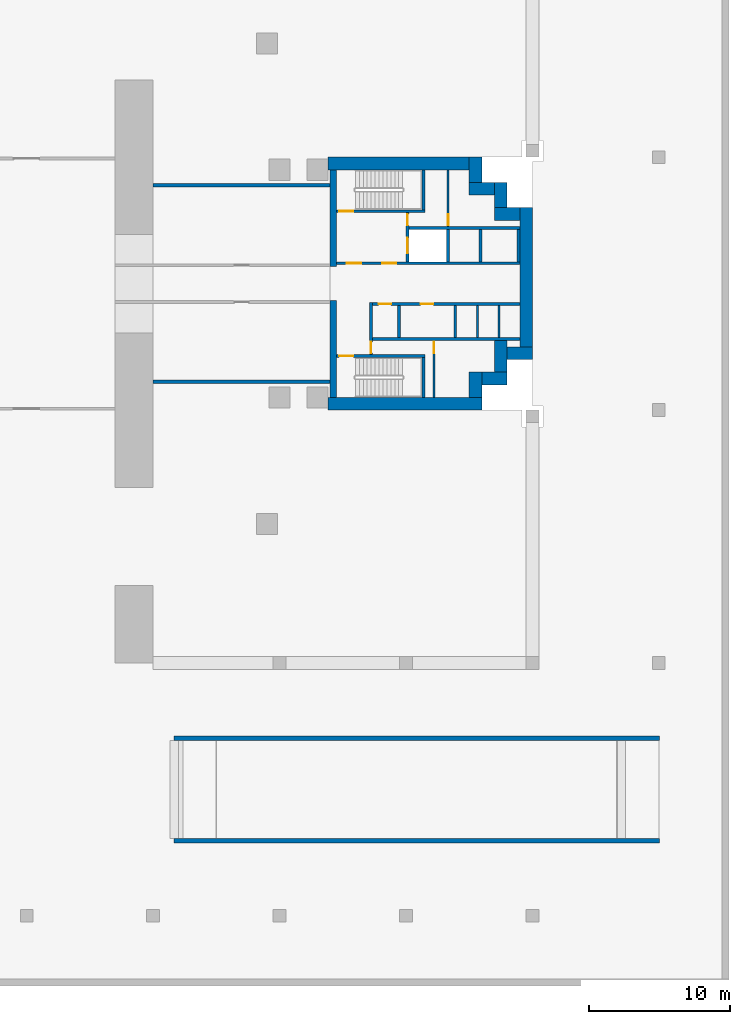
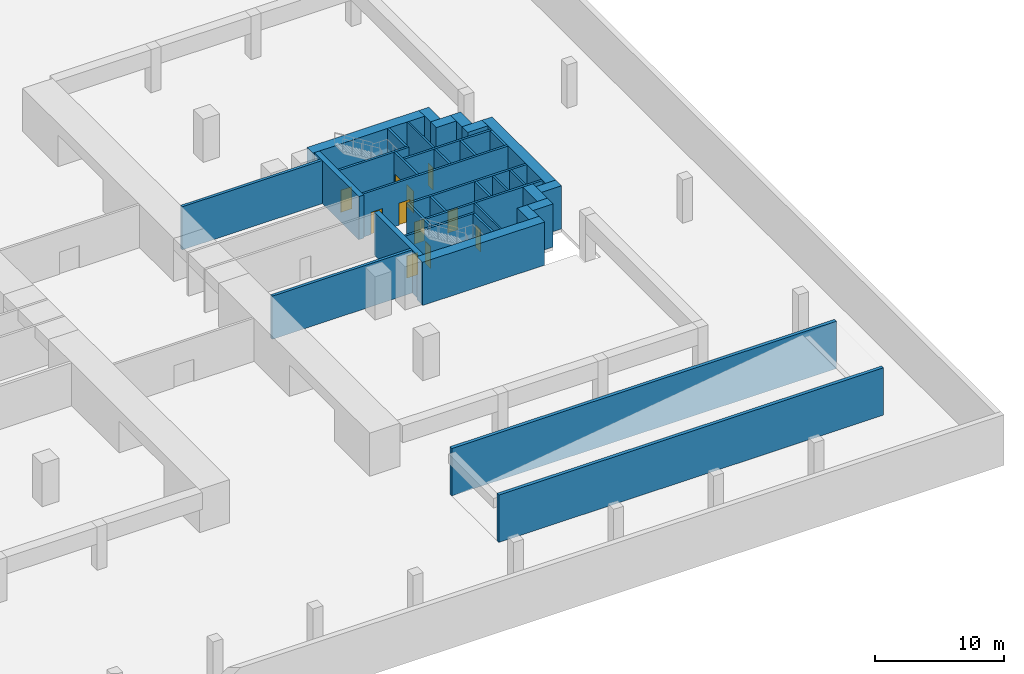
# One storey, part 6 of 9: 36 walls, 11 doors, 11 openings.
"""IFC4 building model written with IfcOpenShell, lengths in metres."""

from ifc_helpers import new_model, si_unit, direction, frame, frame_2d, origin, place, context, subcontext, project, spatial, rectangle, extrude, material, layer, layer_set, type_object, element, fill, save


model = new_model("IFC4")

# Units and contexts
model_context = context("Model", 3, precision=1e-05, world=origin(), true_north=direction((0.0, 1.0)))
body_context = subcontext(model_context, "Body", "Model", "MODEL_VIEW")
ifc_project = project(units=[si_unit("LENGTHUNIT", "METRE"), si_unit("AREAUNIT", "SQUARE_METRE"), si_unit("VOLUMEUNIT", "CUBIC_METRE"), si_unit("PLANEANGLEUNIT", "RADIAN"), si_unit("MASSUNIT", "GRAM", prefix="KILO")], contexts=[model_context])

# Site, building, storey
site_placement = place(None, origin())
site = spatial("IfcSite", under=ifc_project, at=site_placement, CompositionType="ELEMENT")
building_placement = place(site_placement, origin())
building = spatial("IfcBuilding", under=site, at=building_placement, Name="Perihelion Cross Residences", CompositionType="ELEMENT")
storey_placement = place(building_placement, frame((0.0, 0.0, -4.5)))
storey = spatial("IfcBuildingStorey", under=building, at=storey_placement, Name="B1", CompositionType="ELEMENT", Elevation=-4.5)

# Walls
ifc_material_1 = material(Name="Concrete C40/50", Category="concrete")
ifc_layer_1 = layer(ifc_material_1, 0.25)
ifc_layer_set_1 = layer_set([ifc_layer_1], Name="Basement enclosure wall 250")
wall_type_1 = type_object("IfcWallType", Name="Basement enclosure wall 250", PredefinedType="SOLIDWALL", material=ifc_layer_set_1)
for number, where, z_axis, x_axis, name in (
    (1, (9.0, 7.0, 0.0), (0.0, 0.0, 1.0), (1.0, 0.0, 0.0), "Basement enclosure wall B1 e.encl.n"),
    (2, (9.0, -7.0, 0.0), (0.0, 0.0, 1.0), (1.0, 0.0, 0.0), "Basement enclosure wall B1 e.encl.s"),
):
    element("IfcWall", number, at=place(storey_placement, frame(where, z_axis=z_axis, x_axis=x_axis)), inside=storey, type_object=wall_type_1, Name=name, PredefinedType="SOLIDWALL", context=body_context, shape_type="SweptSolid", body=[
        extrude(rectangle(XDim=12.60009765625, YDim=0.25, at=frame_2d((6.300048828125, 0.0))), origin(), (0.0, 0.0, 1.0), 4.10009765625),
    ])
ifc_material_2 = material(Name="Concrete C60/75", Category="concrete")
ifc_layer_2 = layer(ifc_material_2, 0.449951171875)
ifc_layer_set_2 = layer_set([ifc_layer_2], Name="Core wall, inner 450")
wall_type_2 = type_object("IfcWallType", Name="Core wall, inner 450", PredefinedType="SHEAR", material=ifc_layer_set_2)
for number, where, z_axis, x_axis, name in (
    (3, (21.824951171875, -8.10009765625, 0.0), (0.0, 0.0, 1.0), (0.0, 1.0, 0.0), "East core core wall, inner"),
    (4, (21.824951171875, 1.199951171875, 0.0), (0.0, 0.0, 1.0), (0.0, 1.0, 0.0), "East core core wall, inner"),
):
    element("IfcWall", number, at=place(storey_placement, frame(where, z_axis=z_axis, x_axis=x_axis)), inside=storey, type_object=wall_type_2, Name=name, PredefinedType="SHEAR", context=body_context, shape_type="SweptSolid", body=[
        extrude(rectangle(XDim=6.900146484375, YDim=0.449951171875, at=frame_2d((3.4501953125, 0.0))), origin(), (0.0, 0.0, 1.0), 4.10009765625),
    ])
ifc_material_3 = material(Name="Concrete C60/75", Category="concrete")
ifc_layer_3 = layer(ifc_material_3, 0.89990234375)
ifc_layer_set_3 = layer_set([ifc_layer_3], Name="Core wall, outer 900")
wall_type_3 = type_object("IfcWallType", Name="Core wall, outer 900", PredefinedType="SHEAR", material=ifc_layer_set_3)
wall_1_placement = place(storey_placement, frame((21.449951171875, -8.550048828125, 0.0), z_axis=(0.0, 0.0, 1.0), x_axis=(1.0, 0.0, 0.0)))
element("IfcWall", 5, at=wall_1_placement, inside=storey, type_object=wall_type_3, Name="East core core wall, outer", PredefinedType="SHEAR", context=body_context, shape_type="SweptSolid", body=[
    extrude(rectangle(XDim=10.949951171875, YDim=0.89990234375, at=frame_2d((5.47509765625, 0.0))), origin(), (0.0, 0.0, 1.0), 4.10009765625),
])
for number, where, z_axis, x_axis, name in (
    (6, (31.949951171875, -8.10009765625, 0.0), (0.0, 0.0, 1.0), (0.0, 1.0, 0.0), "East core core wall, outer"),
    (7, (32.39990234375, -6.75, 0.0), (0.0, 0.0, 1.0), (1.0, 0.0, 0.0), "East core core wall, outer"),
):
    element("IfcWall", number, at=place(storey_placement, frame(where, z_axis=z_axis, x_axis=x_axis)), inside=storey, type_object=wall_type_3, Name=name, PredefinedType="SHEAR", context=body_context, shape_type="SweptSolid", body=[
        extrude(rectangle(XDim=1.800048828125, YDim=0.89990234375, at=frame_2d((0.89990234375, 0.0))), origin(), (0.0, 0.0, 1.0), 4.10009765625),
    ])
wall_2_placement = place(storey_placement, frame((33.75, -6.300048828125, 0.0), z_axis=(0.0, 0.0, 1.0), x_axis=(0.0, 1.0, 0.0)))
element("IfcWall", 8, at=wall_2_placement, inside=storey, type_object=wall_type_3, Name="East core core wall, outer", PredefinedType="SHEAR", context=body_context, shape_type="SweptSolid", body=[
    extrude(rectangle(XDim=2.25, YDim=0.89990234375, at=frame_2d((1.125, 0.0))), origin(), (0.0, 0.0, 1.0), 4.10009765625),
])
wall_3_placement = place(storey_placement, frame((34.199951171875, -4.949951171875, 0.0), z_axis=(0.0, 0.0, 1.0), x_axis=(1.0, 0.0, 0.0)))
element("IfcWall", 9, at=wall_3_placement, inside=storey, type_object=wall_type_3, Name="East core core wall, outer", PredefinedType="SHEAR", context=body_context, shape_type="SweptSolid", body=[
    extrude(rectangle(XDim=1.800048828125, YDim=0.89990234375, at=frame_2d((0.89990234375, 0.0))), origin(), (0.0, 0.0, 1.0), 4.10009765625),
])
wall_4_placement = place(storey_placement, frame((35.550048828125, -4.5, 0.0), z_axis=(0.0, 0.0, 1.0), x_axis=(0.0, 1.0, 0.0)))
element("IfcWall", 10, at=wall_4_placement, inside=storey, type_object=wall_type_3, Name="East core core wall, outer", PredefinedType="SHEAR", context=body_context, shape_type="SweptSolid", body=[
    extrude(rectangle(XDim=9.89990234375, YDim=0.89990234375, at=frame_2d((4.949951171875, 0.0))), origin(), (0.0, 0.0, 1.0), 4.10009765625),
])
for number, where, z_axis, x_axis, name in (
    (11, (33.300048828125, 4.949951171875, 0.0), (0.0, 0.0, 1.0), (1.0, 0.0, 0.0), "East core core wall, outer"),
    (12, (33.75, 5.39990234375, 0.0), (0.0, 0.0, 1.0), (0.0, 1.0, 0.0), "East core core wall, outer"),
    (13, (31.5, 6.75, 0.0), (0.0, 0.0, 1.0), (1.0, 0.0, 0.0), "East core core wall, outer"),
    (14, (31.949951171875, 7.199951171875, 0.0), (0.0, 0.0, 1.0), (0.0, 1.0, 0.0), "East core core wall, outer"),
):
    element("IfcWall", number, at=place(storey_placement, frame(where, z_axis=z_axis, x_axis=x_axis)), inside=storey, type_object=wall_type_3, Name=name, PredefinedType="SHEAR", context=body_context, shape_type="SweptSolid", body=[
        extrude(rectangle(XDim=1.800048828125, YDim=0.89990234375, at=frame_2d((0.89990234375, 0.0))), origin(), (0.0, 0.0, 1.0), 4.10009765625),
    ])
wall_5_placement = place(storey_placement, frame((21.449951171875, 8.550048828125, 0.0), z_axis=(0.0, 0.0, 1.0), x_axis=(1.0, 0.0, 0.0)))
element("IfcWall", 15, at=wall_5_placement, inside=storey, type_object=wall_type_3, Name="East core core wall, outer", PredefinedType="SHEAR", context=body_context, shape_type="SweptSolid", body=[
    extrude(rectangle(XDim=10.050048828125, YDim=0.89990234375, at=frame_2d((5.02490234375, 0.0))), origin(), (0.0, 0.0, 1.0), 4.10009765625),
])

# Wall, opening, door
ifc_material_4 = material(Name="Concrete C50/60", Category="concrete")
ifc_layer_4 = layer(ifc_material_4, 0.199951171875)
ifc_layer_set_4 = layer_set([ifc_layer_4], Name="Lobby wall 200")
wall_type_4 = type_object("IfcWallType", Name="Lobby wall 200", PredefinedType="SOLIDWALL", material=ifc_layer_set_4)
wall_6_placement = place(storey_placement, frame((24.5, -5.050048828125, 0.0), z_axis=(0.0, 0.0, 1.0), x_axis=(0.0, 1.0, 0.0)))
wall_6 = element("IfcWall", 16, at=wall_6_placement, inside=storey, type_object=wall_type_4, Name="East core lobby wall", PredefinedType="SOLIDWALL", context=body_context, shape_type="SweptSolid", body=[
    extrude(rectangle(XDim=3.699951171875, YDim=0.199951171875, at=frame_2d((1.85009765625, 0.0))), origin(), (0.0, 0.0, 1.0), 4.10009765625),
])
opening_1_placement = place(wall_6_placement, frame((0.10009765625, 0.0, 0.0)))
opening_1 = element("IfcOpeningElement", 17, at=opening_1_placement, cuts=wall_6, Name="Opening B1.C05", PredefinedType="OPENING", context=body_context, shape_type="SweptSolid", body=[
    extrude(rectangle(XDim=0.800048828125, YDim=2.10009765625, at=frame_2d((0.39990234375, 1.050048828125))), frame((0.0, 0.10986328125, 0.0), z_axis=(0.0, -1.0, 0.0), x_axis=(1.0, 0.0, 0.0)), (0.0, 0.0, 1.0), 0.219970703125),
])
ifc_material_5 = material(Name="Steel, powder coated", Category="steel")
door_type_1 = type_object("IfcDoorType", Name="Riser door 800", OperationType="SINGLE_SWING_LEFT", PredefinedType="DOOR", material=ifc_material_5)
door_1_placement = place(opening_1_placement, origin())
door_1 = element("IfcDoor", 18, at=door_1_placement, inside=storey, type_object=door_type_1, Name="East core riser door", OperationType="SINGLE_SWING_LEFT", OverallHeight=2.10009765625, OverallWidth=0.800048828125, PredefinedType="DOOR", context=body_context, shape_type="SweptSolid", body=[
    extrude(rectangle(XDim=0.800048828125, YDim=2.10009765625, at=frame_2d((0.39990234375, 1.050048828125))), frame((0.0, 0.02490234375, 0.0), z_axis=(0.0, -1.0, 0.0), x_axis=(1.0, 0.0, 0.0)), (0.0, 0.0, 1.0), 0.050048828125),
])
fill(opening_1, door_1)

# Walls
ifc_material_6 = material(Name="Concrete C40/50", Category="concrete")
ifc_layer_5 = layer(ifc_material_6, 0.300048828125)
ifc_layer_set_5 = layer_set([ifc_layer_5], Name="Ramp side wall 300")
wall_type_5 = type_object("IfcWallType", Name="Ramp side wall 300", PredefinedType="SOLIDWALL", material=ifc_layer_set_5)
for number, where, z_axis, x_axis, name in (
    (19, (10.5, -39.64990234375, 0.0), (0.0, 0.0, 1.0), (1.0, 0.0, 0.0), "Ramp side wall B1 s"),
    (20, (10.5, -32.35009765625, 0.0), (0.0, 0.0, 1.0), (1.0, 0.0, 0.0), "Ramp side wall B1 n"),
):
    element("IfcWall", number, at=place(storey_placement, frame(where, z_axis=z_axis, x_axis=x_axis)), inside=storey, type_object=wall_type_5, Name=name, PredefinedType="SOLIDWALL", context=body_context, shape_type="SweptSolid", body=[
        extrude(rectangle(XDim=34.550048828125, YDim=0.300048828125, at=frame_2d((17.27490234375, 0.0))), origin(), (0.0, 0.0, 1.0), 4.5),
    ])

# Wall, opening, door
ifc_material_7 = material(Name="Fire-rated board on steel stud", Category="steel")
ifc_layer_6 = layer(ifc_material_7, 0.14990234375)
ifc_layer_set_6 = layer_set([ifc_layer_6], Name="Riser wall 150")
wall_type_6 = type_object("IfcWallType", Name="Riser wall 150", PredefinedType="PARTITIONING", material=ifc_layer_set_6)
wall_7_placement = place(storey_placement, frame((30.0, 4.050048828125, 0.0), z_axis=(0.0, 0.0, 1.0), x_axis=(0.0, 1.0, 0.0)))
wall_7 = element("IfcWall", 21, at=wall_7_placement, inside=storey, type_object=wall_type_6, Name="East core riser wall", PredefinedType="PARTITIONING", context=body_context, shape_type="SweptSolid", body=[
    extrude(rectangle(XDim=4.050048828125, YDim=0.14990234375, at=frame_2d((2.02490234375, 0.0))), origin(), (0.0, 0.0, 1.0), 4.10009765625),
])
opening_2_placement = place(wall_7_placement, frame((0.10009765625, 0.0, 0.0)))
opening_2 = element("IfcOpeningElement", 22, at=opening_2_placement, cuts=wall_7, Name="Opening B1.C11", PredefinedType="OPENING", context=body_context, shape_type="SweptSolid", body=[
    extrude(rectangle(XDim=0.800048828125, YDim=2.10009765625, at=frame_2d((0.39990234375, 1.050048828125))), frame((0.0, 0.0849609375, 0.0), z_axis=(0.0, -1.0, 0.0), x_axis=(1.0, 0.0, 0.0)), (0.0, 0.0, 1.0), 0.169921875),
])
door_2_placement = place(opening_2_placement, origin())
door_2 = element("IfcDoor", 23, at=door_2_placement, inside=storey, type_object=door_type_1, Name="East core riser door", OperationType="SINGLE_SWING_LEFT", OverallHeight=2.10009765625, OverallWidth=0.800048828125, PredefinedType="DOOR", context=body_context, shape_type="SweptSolid", body=[
    extrude(rectangle(XDim=0.800048828125, YDim=2.10009765625, at=frame_2d((0.39990234375, 1.050048828125))), frame((0.0, 0.02490234375, 0.0), z_axis=(0.0, -1.0, 0.0), x_axis=(1.0, 0.0, 0.0)), (0.0, 0.0, 1.0), 0.050048828125),
])
fill(opening_2, door_2)

wall_8_placement = place(storey_placement, frame((29.0, -8.10009765625, 0.0), z_axis=(0.0, 0.0, 1.0), x_axis=(0.0, 1.0, 0.0)))
wall_8 = element("IfcWall", 24, at=wall_8_placement, inside=storey, type_object=wall_type_6, Name="East core riser wall", PredefinedType="PARTITIONING", context=body_context, shape_type="SweptSolid", body=[
    extrude(rectangle(XDim=4.050048828125, YDim=0.14990234375, at=frame_2d((2.02490234375, 0.0))), origin(), (0.0, 0.0, 1.0), 4.10009765625),
])
opening_3_placement = place(wall_8_placement, frame((3.14990234375, 0.0, 0.0)))
opening_3 = element("IfcOpeningElement", 25, at=opening_3_placement, cuts=wall_8, Name="Opening B1.C10", PredefinedType="OPENING", context=body_context, shape_type="SweptSolid", body=[
    extrude(rectangle(XDim=0.800048828125, YDim=2.10009765625, at=frame_2d((0.39990234375, 1.050048828125))), frame((0.0, 0.0849609375, 0.0), z_axis=(0.0, -1.0, 0.0), x_axis=(1.0, 0.0, 0.0)), (0.0, 0.0, 1.0), 0.169921875),
])
door_3_placement = place(opening_3_placement, origin())
door_3 = element("IfcDoor", 26, at=door_3_placement, inside=storey, type_object=door_type_1, Name="East core riser door", OperationType="SINGLE_SWING_LEFT", OverallHeight=2.10009765625, OverallWidth=0.800048828125, PredefinedType="DOOR", context=body_context, shape_type="SweptSolid", body=[
    extrude(rectangle(XDim=0.800048828125, YDim=2.10009765625, at=frame_2d((0.39990234375, 1.050048828125))), frame((0.0, 0.02490234375, 0.0), z_axis=(0.0, -1.0, 0.0), x_axis=(1.0, 0.0, 0.0)), (0.0, 0.0, 1.0), 0.050048828125),
])
fill(opening_3, door_3)

# Walls
ifc_material_8 = material(Name="Fire-rated board on steel stud", Category="steel")
ifc_layer_7 = layer(ifc_material_8, 0.199951171875)
ifc_layer_set_7 = layer_set([ifc_layer_7], Name="Riser wall 200")
wall_type_7 = type_object("IfcWallType", Name="Riser wall 200", PredefinedType="PARTITIONING", material=ifc_layer_set_7)
wall_9_placement = place(storey_placement, frame((26.5, -3.85009765625, 0.0), z_axis=(0.0, 0.0, 1.0), x_axis=(0.0, 1.0, 0.0)))
element("IfcWall", 27, at=wall_9_placement, inside=storey, type_object=wall_type_7, Name="East core riser wall", PredefinedType="PARTITIONING", context=body_context, shape_type="SweptSolid", body=[
    extrude(rectangle(XDim=2.300048828125, YDim=0.199951171875, at=frame_2d((1.14990234375, 0.0))), origin(), (0.0, 0.0, 1.0), 4.10009765625),
])
ifc_material_9 = material(Name="Concrete C50/60", Category="concrete")
ifc_layer_8 = layer(ifc_material_9, 0.14990234375)
ifc_layer_set_8 = layer_set([ifc_layer_8], Name="Shaft wall 150")
wall_type_8 = type_object("IfcWallType", Name="Shaft wall 150", PredefinedType="SOLIDWALL", material=ifc_layer_set_8)
for number, where, z_axis, x_axis, name in (
    (28, (32.074951171875, -3.85009765625, 0.0), (0.0, 0.0, 1.0), (0.0, 1.0, 0.0), "East core shaft wall"),
    (29, (33.625, -3.85009765625, 0.0), (0.0, 0.0, 1.0), (0.0, 1.0, 0.0), "East core shaft wall"),
):
    element("IfcWall", number, at=place(storey_placement, frame(where, z_axis=z_axis, x_axis=x_axis)), inside=storey, type_object=wall_type_8, Name=name, PredefinedType="SOLIDWALL", context=body_context, shape_type="SweptSolid", body=[
        extrude(rectangle(XDim=2.300048828125, YDim=0.14990234375, at=frame_2d((1.14990234375, 0.0))), origin(), (0.0, 0.0, 1.0), 4.10009765625),
    ])

# Wall, openings, doors
ifc_material_10 = material(Name="Concrete C50/60", Category="concrete")
ifc_layer_9 = layer(ifc_material_10, 0.199951171875)
ifc_layer_set_9 = layer_set([ifc_layer_9], Name="Shaft wall 200")
wall_type_9 = type_object("IfcWallType", Name="Shaft wall 200", PredefinedType="SOLIDWALL", material=ifc_layer_set_9)
wall_10_placement = place(storey_placement, frame((22.050048828125, 1.449951171875, 0.0), z_axis=(0.0, 0.0, 1.0), x_axis=(1.0, 0.0, 0.0)))
wall_10 = element("IfcWall", 30, at=wall_10_placement, inside=storey, type_object=wall_type_9, Name="East core shaft wall", PredefinedType="SOLIDWALL", context=body_context, shape_type="SweptSolid", body=[
    extrude(rectangle(XDim=13.050048828125, YDim=0.199951171875, at=frame_2d((6.52490234375, 0.0))), origin(), (0.0, 0.0, 1.0), 4.10009765625),
])
opening_4_placement = place(wall_10_placement, frame((0.75, 0.0, 0.0)))
opening_4 = element("IfcOpeningElement", 31, at=opening_4_placement, cuts=wall_10, Name="Opening B1.C04", PredefinedType="OPENING", context=body_context, shape_type="SweptSolid", body=[
    extrude(rectangle(XDim=1.0, YDim=2.10009765625, at=frame_2d((0.5, 1.050048828125))), frame((0.0, 0.10986328125, 0.0), z_axis=(0.0, -1.0, 0.0), x_axis=(1.0, 0.0, 0.0)), (0.0, 0.0, 1.0), 0.219970703125),
])
opening_5_placement = place(wall_10_placement, frame((3.25, 0.0, 0.0)))
opening_5 = element("IfcOpeningElement", 32, at=opening_5_placement, cuts=wall_10, Name="Opening B1.C07", PredefinedType="OPENING", context=body_context, shape_type="SweptSolid", body=[
    extrude(rectangle(XDim=1.0, YDim=2.10009765625, at=frame_2d((0.5, 1.050048828125))), frame((0.0, 0.10986328125, 0.0), z_axis=(0.0, -1.0, 0.0), x_axis=(1.0, 0.0, 0.0)), (0.0, 0.0, 1.0), 0.219970703125),
])
ifc_material_11 = material(Name="Steel, powder coated", Category="steel")
door_type_2 = type_object("IfcDoorType", Name="Lobby door 1000", OperationType="SINGLE_SWING_LEFT", PredefinedType="DOOR", material=ifc_material_11)
door_4_placement = place(opening_4_placement, origin())
door_4 = element("IfcDoor", 33, at=door_4_placement, inside=storey, type_object=door_type_2, Name="East core firefighting lobby door", OperationType="SINGLE_SWING_LEFT", OverallHeight=2.10009765625, OverallWidth=1.0, PredefinedType="DOOR", context=body_context, shape_type="SweptSolid", body=[
    extrude(rectangle(XDim=1.0, YDim=2.10009765625, at=frame_2d((0.5, 1.050048828125))), frame((0.0, 0.02490234375, 0.0), z_axis=(0.0, -1.0, 0.0), x_axis=(1.0, 0.0, 0.0)), (0.0, 0.0, 1.0), 0.050048828125),
])
fill(opening_4, door_4)
door_5_placement = place(opening_5_placement, origin())
door_5 = element("IfcDoor", 34, at=door_5_placement, inside=storey, type_object=door_type_2, Name="East core firefighting lobby door", OperationType="SINGLE_SWING_LEFT", OverallHeight=2.10009765625, OverallWidth=1.0, PredefinedType="DOOR", context=body_context, shape_type="SweptSolid", body=[
    extrude(rectangle(XDim=1.0, YDim=2.10009765625, at=frame_2d((0.5, 1.050048828125))), frame((0.0, 0.02490234375, 0.0), z_axis=(0.0, -1.0, 0.0), x_axis=(1.0, 0.0, 0.0)), (0.0, 0.0, 1.0), 0.050048828125),
])
fill(opening_5, door_5)

wall_11_placement = place(storey_placement, frame((24.60009765625, -1.449951171875, 0.0), z_axis=(0.0, 0.0, 1.0), x_axis=(1.0, 0.0, 0.0)))
wall_11 = element("IfcWall", 35, at=wall_11_placement, inside=storey, type_object=wall_type_9, Name="East core shaft wall", PredefinedType="SOLIDWALL", context=body_context, shape_type="SweptSolid", body=[
    extrude(rectangle(XDim=10.5, YDim=0.199951171875, at=frame_2d((5.25, 0.0))), origin(), (0.0, 0.0, 1.0), 4.10009765625),
])
opening_6_placement = place(wall_11_placement, frame((0.449951171875, 0.0, 0.0)))
opening_6 = element("IfcOpeningElement", 36, at=opening_6_placement, cuts=wall_11, Name="Opening B1.C06", PredefinedType="OPENING", context=body_context, shape_type="SweptSolid", body=[
    extrude(rectangle(XDim=0.89990234375, YDim=2.10009765625, at=frame_2d((0.449951171875, 1.050048828125))), frame((0.0, 0.10986328125, 0.0), z_axis=(0.0, -1.0, 0.0), x_axis=(1.0, 0.0, 0.0)), (0.0, 0.0, 1.0), 0.219970703125),
])
opening_7_placement = place(wall_11_placement, frame((3.449951171875, 0.0, 0.0)))
opening_7 = element("IfcOpeningElement", 37, at=opening_7_placement, cuts=wall_11, Name="Opening B1.C09", PredefinedType="OPENING", context=body_context, shape_type="SweptSolid", body=[
    extrude(rectangle(XDim=0.89990234375, YDim=2.10009765625, at=frame_2d((0.449951171875, 1.050048828125))), frame((0.0, 0.10986328125, 0.0), z_axis=(0.0, -1.0, 0.0), x_axis=(1.0, 0.0, 0.0)), (0.0, 0.0, 1.0), 0.219970703125),
])
ifc_material_12 = material(Name="Steel, powder coated", Category="steel")
door_type_3 = type_object("IfcDoorType", Name="Service room door 900", OperationType="SINGLE_SWING_LEFT", PredefinedType="DOOR", material=ifc_material_12)
door_6_placement = place(opening_6_placement, origin())
door_6 = element("IfcDoor", 38, at=door_6_placement, inside=storey, type_object=door_type_3, Name="East core service room door", OperationType="SINGLE_SWING_LEFT", OverallHeight=2.10009765625, OverallWidth=0.89990234375, PredefinedType="DOOR", context=body_context, shape_type="SweptSolid", body=[
    extrude(rectangle(XDim=0.89990234375, YDim=2.10009765625, at=frame_2d((0.449951171875, 1.050048828125))), frame((0.0, 0.02490234375, 0.0), z_axis=(0.0, -1.0, 0.0), x_axis=(1.0, 0.0, 0.0)), (0.0, 0.0, 1.0), 0.050048828125),
])
fill(opening_6, door_6)
door_7_placement = place(opening_7_placement, origin())
door_7 = element("IfcDoor", 39, at=door_7_placement, inside=storey, type_object=door_type_3, Name="East core service room door", OperationType="SINGLE_SWING_LEFT", OverallHeight=2.10009765625, OverallWidth=0.89990234375, PredefinedType="DOOR", context=body_context, shape_type="SweptSolid", body=[
    extrude(rectangle(XDim=0.89990234375, YDim=2.10009765625, at=frame_2d((0.449951171875, 1.050048828125))), frame((0.0, 0.02490234375, 0.0), z_axis=(0.0, -1.0, 0.0), x_axis=(1.0, 0.0, 0.0)), (0.0, 0.0, 1.0), 0.050048828125),
])
fill(opening_7, door_7)

# Walls
wall_12_placement = place(storey_placement, frame((27.199951171875, 3.949951171875, 0.0), z_axis=(0.0, 0.0, 1.0), x_axis=(1.0, 0.0, 0.0)))
element("IfcWall", 40, at=wall_12_placement, inside=storey, type_object=wall_type_9, Name="East core shaft wall", PredefinedType="SOLIDWALL", context=body_context, shape_type="SweptSolid", body=[
    extrude(rectangle(XDim=7.900146484375, YDim=0.199951171875, at=frame_2d((3.9501953125, 0.0))), origin(), (0.0, 0.0, 1.0), 4.10009765625),
])
wall_13_placement = place(storey_placement, frame((24.60009765625, -3.949951171875, 0.0), z_axis=(0.0, 0.0, 1.0), x_axis=(1.0, 0.0, 0.0)))
element("IfcWall", 41, at=wall_13_placement, inside=storey, type_object=wall_type_9, Name="East core shaft wall", PredefinedType="SOLIDWALL", context=body_context, shape_type="SweptSolid", body=[
    extrude(rectangle(XDim=10.5, YDim=0.199951171875, at=frame_2d((5.25, 0.0))), origin(), (0.0, 0.0, 1.0), 4.10009765625),
])

# Wall, openings, doors
wall_14_placement = place(storey_placement, frame((27.10009765625, 1.550048828125, 0.0), z_axis=(0.0, 0.0, 1.0), x_axis=(0.0, 1.0, 0.0)))
wall_14 = element("IfcWall", 42, at=wall_14_placement, inside=storey, type_object=wall_type_9, Name="East core shaft wall", PredefinedType="SOLIDWALL", context=body_context, shape_type="SweptSolid", body=[
    extrude(rectangle(XDim=3.5, YDim=0.199951171875, at=frame_2d((1.75, 0.0))), origin(), (0.0, 0.0, 1.0), 4.10009765625),
])
opening_8_placement = place(wall_14_placement, frame((0.60009765625, 0.0, 0.0)))
opening_8 = element("IfcOpeningElement", 43, at=opening_8_placement, cuts=wall_14, Name="Opening B1.C01", PredefinedType="OPENING", context=body_context, shape_type="SweptSolid", body=[
    extrude(rectangle(XDim=1.10009765625, YDim=2.10009765625, at=frame_2d((0.550048828125, 1.050048828125))), frame((0.0, 0.10986328125, 0.0), z_axis=(0.0, -1.0, 0.0), x_axis=(1.0, 0.0, 0.0)), (0.0, 0.0, 1.0), 0.219970703125),
])
opening_9_placement = place(wall_14_placement, frame((2.60009765625, 0.0, 0.0)))
opening_9 = element("IfcOpeningElement", 44, at=opening_9_placement, cuts=wall_14, Name="Opening B1.C08", PredefinedType="OPENING", context=body_context, shape_type="SweptSolid", body=[
    extrude(rectangle(XDim=0.800048828125, YDim=2.10009765625, at=frame_2d((0.39990234375, 1.050048828125))), frame((0.0, 0.10986328125, 0.0), z_axis=(0.0, -1.0, 0.0), x_axis=(1.0, 0.0, 0.0)), (0.0, 0.0, 1.0), 0.219970703125),
])
ifc_material_13 = material(Name="Stainless steel", Category="steel")
door_type_4 = type_object("IfcDoorType", Name="Landing door, firefighting lift 1100", OperationType="DOUBLE_DOOR_SLIDING", PredefinedType="DOOR", material=ifc_material_13)
door_8_placement = place(opening_8_placement, origin())
door_8 = element("IfcDoor", 45, at=door_8_placement, inside=storey, type_object=door_type_4, Name="Landing door, East core firefighting and service lift", OperationType="DOUBLE_DOOR_SLIDING", OverallHeight=2.10009765625, OverallWidth=1.10009765625, PredefinedType="DOOR", context=body_context, shape_type="SweptSolid", body=[
    extrude(rectangle(XDim=1.10009765625, YDim=2.10009765625, at=frame_2d((0.550048828125, 1.050048828125))), frame((0.0, 0.02490234375, 0.0), z_axis=(0.0, -1.0, 0.0), x_axis=(1.0, 0.0, 0.0)), (0.0, 0.0, 1.0), 0.050048828125),
])
fill(opening_8, door_8)
door_9_placement = place(opening_9_placement, origin())
door_9 = element("IfcDoor", 46, at=door_9_placement, inside=storey, type_object=door_type_1, Name="East core riser door", OperationType="SINGLE_SWING_LEFT", OverallHeight=2.10009765625, OverallWidth=0.800048828125, PredefinedType="DOOR", context=body_context, shape_type="SweptSolid", body=[
    extrude(rectangle(XDim=0.800048828125, YDim=2.10009765625, at=frame_2d((0.39990234375, 1.050048828125))), frame((0.0, 0.02490234375, 0.0), z_axis=(0.0, -1.0, 0.0), x_axis=(1.0, 0.0, 0.0)), (0.0, 0.0, 1.0), 0.050048828125),
])
fill(opening_9, door_9)

# Walls
for number, where, z_axis, x_axis, name in (
    (47, (30.0, 1.550048828125, 0.0), (0.0, 0.0, 1.0), (0.0, 1.0, 0.0), "East core shaft wall"),
    (48, (32.300048828125, 1.550048828125, 0.0), (0.0, 0.0, 1.0), (0.0, 1.0, 0.0), "East core shaft wall"),
    (49, (35.0, 1.550048828125, 0.0), (0.0, 0.0, 1.0), (0.0, 1.0, 0.0), "East core shaft wall"),
    (50, (30.5, -3.85009765625, 0.0), (0.0, 0.0, 1.0), (0.0, 1.0, 0.0), "East core shaft wall"),
):
    element("IfcWall", number, at=place(storey_placement, frame(where, z_axis=z_axis, x_axis=x_axis)), inside=storey, type_object=wall_type_9, Name=name, PredefinedType="SOLIDWALL", context=body_context, shape_type="SweptSolid", body=[
        extrude(rectangle(XDim=2.300048828125, YDim=0.199951171875, at=frame_2d((1.14990234375, 0.0))), origin(), (0.0, 0.0, 1.0), 4.10009765625),
    ])

# Wall, opening, door
ifc_material_14 = material(Name="Concrete C50/60", Category="concrete")
ifc_layer_10 = layer(ifc_material_14, 0.199951171875)
ifc_layer_set_10 = layer_set([ifc_layer_10], Name="Stair wall 200")
wall_type_10 = type_object("IfcWallType", Name="Stair wall 200", PredefinedType="SOLIDWALL", material=ifc_layer_set_10)
wall_15_placement = place(storey_placement, frame((22.050048828125, 5.14990234375, 0.0), z_axis=(0.0, 0.0, 1.0), x_axis=(1.0, 0.0, 0.0)))
wall_15 = element("IfcWall", 51, at=wall_15_placement, inside=storey, type_object=wall_type_10, Name="East core stair wall", PredefinedType="SOLIDWALL", context=body_context, shape_type="SweptSolid", body=[
    extrude(rectangle(XDim=6.300048828125, YDim=0.199951171875, at=frame_2d((3.14990234375, 0.0))), origin(), (0.0, 0.0, 1.0), 4.10009765625),
])
opening_10_placement = place(wall_15_placement, frame((0.199951171875, 0.0, 0.0)))
opening_10 = element("IfcOpeningElement", 52, at=opening_10_placement, cuts=wall_15, Name="Opening B1.C03", PredefinedType="OPENING", context=body_context, shape_type="SweptSolid", body=[
    extrude(rectangle(XDim=1.0, YDim=2.10009765625, at=frame_2d((0.5, 1.050048828125))), frame((0.0, 0.10986328125, 0.0), z_axis=(0.0, -1.0, 0.0), x_axis=(1.0, 0.0, 0.0)), (0.0, 0.0, 1.0), 0.219970703125),
])
ifc_material_15 = material(Name="Steel, powder coated", Category="steel")
door_type_5 = type_object("IfcDoorType", Name="Stair door 1000", OperationType="SINGLE_SWING_LEFT", PredefinedType="DOOR", material=ifc_material_15)
door_10_placement = place(opening_10_placement, origin())
door_10 = element("IfcDoor", 53, at=door_10_placement, inside=storey, type_object=door_type_5, Name="East core stair door", OperationType="SINGLE_SWING_LEFT", OverallHeight=2.10009765625, OverallWidth=1.0, PredefinedType="DOOR", context=body_context, shape_type="SweptSolid", body=[
    extrude(rectangle(XDim=1.0, YDim=2.10009765625, at=frame_2d((0.5, 1.050048828125))), frame((0.0, 0.02490234375, 0.0), z_axis=(0.0, -1.0, 0.0), x_axis=(1.0, 0.0, 0.0)), (0.0, 0.0, 1.0), 0.050048828125),
])
fill(opening_10, door_10)

wall_16_placement = place(storey_placement, frame((22.050048828125, -5.14990234375, 0.0), z_axis=(0.0, 0.0, 1.0), x_axis=(1.0, 0.0, 0.0)))
wall_16 = element("IfcWall", 54, at=wall_16_placement, inside=storey, type_object=wall_type_10, Name="East core stair wall", PredefinedType="SOLIDWALL", context=body_context, shape_type="SweptSolid", body=[
    extrude(rectangle(XDim=6.300048828125, YDim=0.199951171875, at=frame_2d((3.14990234375, 0.0))), origin(), (0.0, 0.0, 1.0), 4.10009765625),
])
opening_11_placement = place(wall_16_placement, frame((0.199951171875, 0.0, 0.0)))
opening_11 = element("IfcOpeningElement", 55, at=opening_11_placement, cuts=wall_16, Name="Opening B1.C02", PredefinedType="OPENING", context=body_context, shape_type="SweptSolid", body=[
    extrude(rectangle(XDim=1.0, YDim=2.10009765625, at=frame_2d((0.5, 1.050048828125))), frame((0.0, 0.10986328125, 0.0), z_axis=(0.0, -1.0, 0.0), x_axis=(1.0, 0.0, 0.0)), (0.0, 0.0, 1.0), 0.219970703125),
])
door_11_placement = place(opening_11_placement, origin())
door_11 = element("IfcDoor", 56, at=door_11_placement, inside=storey, type_object=door_type_5, Name="East core stair door", OperationType="SINGLE_SWING_LEFT", OverallHeight=2.10009765625, OverallWidth=1.0, PredefinedType="DOOR", context=body_context, shape_type="SweptSolid", body=[
    extrude(rectangle(XDim=1.0, YDim=2.10009765625, at=frame_2d((0.5, 1.050048828125))), frame((0.0, 0.02490234375, 0.0), z_axis=(0.0, -1.0, 0.0), x_axis=(1.0, 0.0, 0.0)), (0.0, 0.0, 1.0), 0.050048828125),
])
fill(opening_11, door_11)

# Walls
for number, where, z_axis, x_axis, name in (
    (57, (28.25, 5.25, 0.0), (0.0, 0.0, 1.0), (0.0, 1.0, 0.0), "East core stair wall"),
    (58, (28.25, -8.10009765625, 0.0), (0.0, 0.0, 1.0), (0.0, 1.0, 0.0), "East core stair wall"),
):
    element("IfcWall", number, at=place(storey_placement, frame(where, z_axis=z_axis, x_axis=x_axis)), inside=storey, type_object=wall_type_10, Name=name, PredefinedType="SOLIDWALL", context=body_context, shape_type="SweptSolid", body=[
        extrude(rectangle(XDim=2.85009765625, YDim=0.199951171875, at=frame_2d((1.425048828125, 0.0))), origin(), (0.0, 0.0, 1.0), 4.10009765625),
    ])

save(model, "model.ifc")
